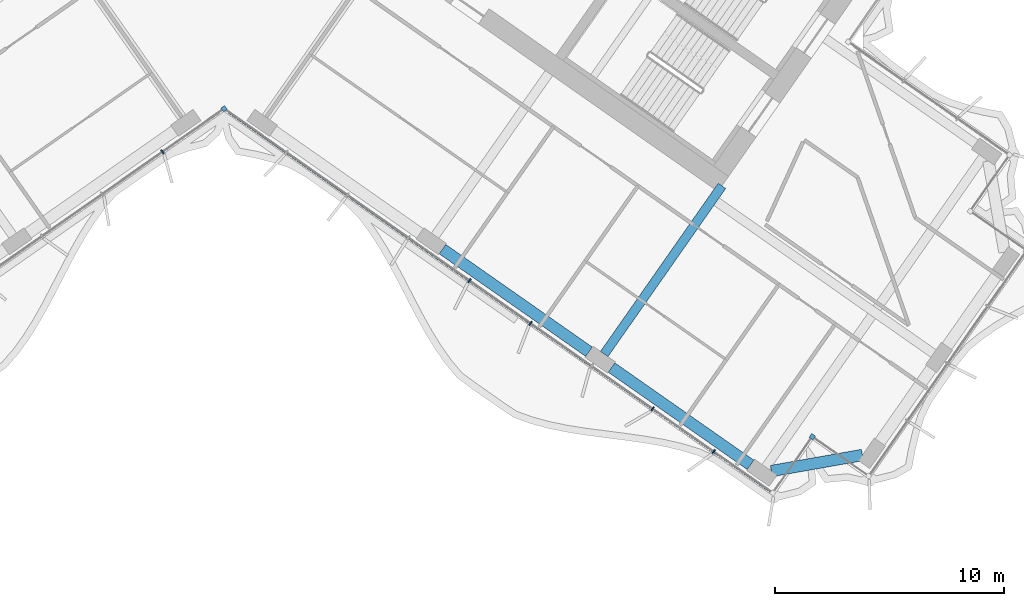
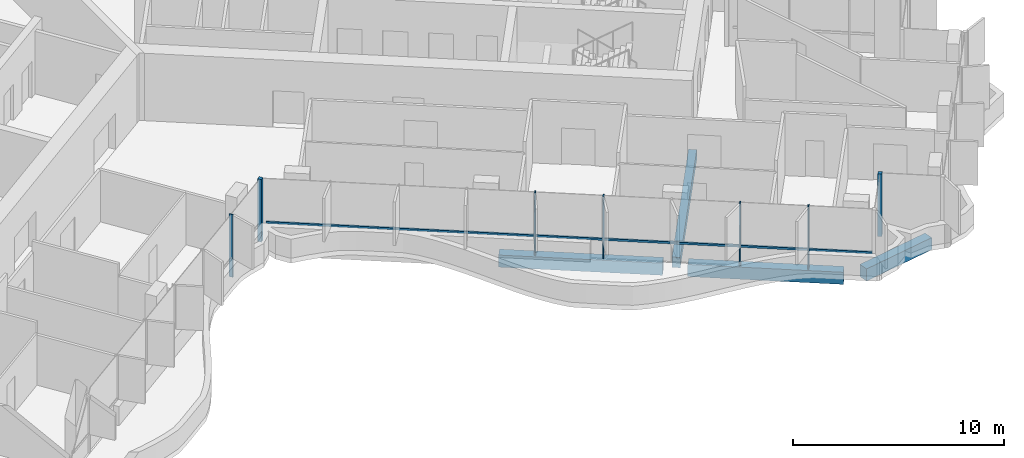
# One storey, part 6 of 23: 8 members, 4 beams, 1 element without a shape of its own.
"""IFC4 building model written with IfcOpenShell, lengths in metres."""

from ifc_helpers import new_model, si_unit, direction, frame, origin, origin_2d, place, context, subcontext, project, spatial, rectangle, extrude, material, material_profile, profile_set, type_object, element, aggregate, save


model = new_model("IFC4")

# Units and contexts
model_context = context("Model", 3, precision=1e-05, world=origin(), true_north=direction((0.0, 1.0)))
body_context = subcontext(model_context, "Body", "Model", "MODEL_VIEW")
ifc_project = project(units=[si_unit("LENGTHUNIT", "METRE"), si_unit("AREAUNIT", "SQUARE_METRE"), si_unit("VOLUMEUNIT", "CUBIC_METRE"), si_unit("PLANEANGLEUNIT", "RADIAN"), si_unit("MASSUNIT", "GRAM", prefix="KILO")], contexts=[model_context])

# Site, building, storey
site_placement = place(None, origin())
site = spatial("IfcSite", under=ifc_project, at=site_placement, CompositionType="ELEMENT")
building_placement = place(site_placement, origin())
building = spatial("IfcBuilding", under=site, at=building_placement, Name="Tel Ilan Convention Tower", CompositionType="ELEMENT")
storey_placement = place(building_placement, frame((0.0, 0.0, 194.39990234375)))
storey = spatial("IfcBuildingStorey", under=building, at=storey_placement, Name="L45", CompositionType="ELEMENT", Elevation=194.39990234375)

# Beams
ifc_material_1 = material(Name="Concrete C40/50", Category="concrete")
ifc_material_profile_1 = material_profile(ifc_material_1, rectangle(XDim=0.39990234375, YDim=0.60009765625, at=origin_2d()), Name="RC 400x600")
ifc_profile_set_1 = profile_set([ifc_material_profile_1], Name="Concrete C40/50")
beam_type_1 = type_object("IfcBeamType", Name="Beam RC 400x600 Concrete C40/50", PredefinedType="BEAM", material=ifc_profile_set_1)
beam_1_placement = place(storey_placement, frame((16.58203125, -23.391357421875, -0.579833984375), z_axis=(0.573584999642, 0.819146048141, 0.0), x_axis=(-0.819146048141, 0.573584999642, 0.0)))
element("IfcBeam", 1, at=beam_1_placement, inside=storey, type_object=beam_type_1, Name="L45 beam E-E-F3-core", PredefinedType="BEAM", context=body_context, shape_type="SweptSolid", body=[
    extrude(rectangle(XDim=0.39990234375, YDim=0.60009765625, at=origin_2d()), origin(), (0.0, 0.0, 1.0), 8.949951171875),
])
ifc_material_2 = material(Name="Concrete C40/50", Category="concrete")
ifc_material_profile_2 = material_profile(ifc_material_2, rectangle(XDim=0.5, YDim=0.699951171875, at=origin_2d()), Name="RC 500x700")
ifc_profile_set_2 = profile_set([ifc_material_profile_2], Name="Concrete C40/50")
beam_type_2 = type_object("IfcBeamType", Name="Beam RC 500x700 Concrete C40/50", PredefinedType="BEAM", material=ifc_profile_set_2)
beam_2_placement = place(storey_placement, frame((9.529052734375, -18.819091796875, -0.6298828125), z_axis=(0.819153977895, -0.573573674866, 0.0), x_axis=(0.573573674866, 0.819153977895, 0.0)))
element("IfcBeam", 2, at=beam_2_placement, inside=storey, type_object=beam_type_2, Name="L45 beam E-E-F2-E-F3", PredefinedType="BEAM", context=body_context, shape_type="SweptSolid", body=[
    extrude(rectangle(XDim=0.5, YDim=0.699951171875, at=origin_2d()), origin(), (0.0, 0.0, 1.0), 7.800048828125),
])
beam_3_placement = place(storey_placement, frame((16.901611328125, -23.981201171875, -0.6298828125), z_axis=(0.819148211634, -0.573581909911, 0.0), x_axis=(0.573581909911, 0.819148211634, 0.0)))
element("IfcBeam", 3, at=beam_3_placement, inside=storey, type_object=beam_type_2, Name="L45 beam E-E-F3-E-FC", PredefinedType="BEAM", context=body_context, shape_type="SweptSolid", body=[
    extrude(rectangle(XDim=0.5, YDim=0.699951171875, at=origin_2d()), origin(), (0.0, 0.0, 1.0), 7.39990234375),
])
beam_4_placement = place(storey_placement, frame((23.87255859375, -28.49609375, -0.6298828125), z_axis=(0.984815252405, 0.173605641124, 0.0), x_axis=(-0.173605641124, 0.984815252405, 0.0)))
element("IfcBeam", 4, at=beam_4_placement, inside=storey, type_object=beam_type_2, Name="L45 beam E-E-FC-E-E1", PredefinedType="BEAM", context=body_context, shape_type="SweptSolid", body=[
    extrude(rectangle(XDim=0.5, YDim=0.699951171875, at=origin_2d()), origin(), (0.0, 0.0, 1.0), 4.030517578125),
])

# Curtain wall, members
ifc_material_3 = material(Name="Aluminium, bronze anodised", Category="aluminium")
curtain_wall_type = type_object("IfcCurtainWallType", Name="CW4 STICK CURTAIN WALL, OFFICE TINTED GLASS", PredefinedType="NOTDEFINED", material=ifc_material_3)
curtain_wall_placement = place(storey_placement, origin())
curtain_wall = element("IfcCurtainWall", 5, at=curtain_wall_placement, inside=storey, type_object=curtain_wall_type, Name="Curtain wall CW4-35.02", PredefinedType="NOTDEFINED")
ifc_material_4 = material(Name="Aluminium, bronze anodised", Category="aluminium")
ifc_material_profile_3 = material_profile(ifc_material_4, rectangle(XDim=0.199951171875, YDim=0.199951171875, at=origin_2d()), Name="CW CORNER MULLION 200x200")
ifc_profile_set_3 = profile_set([ifc_material_profile_3], Name="Aluminium, bronze anodised")
member_type_1 = type_object("IfcMemberType", Name="CW CORNER MULLION 200x200", PredefinedType="MULLION", material=ifc_profile_set_3)
member_1_placement = place(storey_placement, frame((0.0, -12.696044921875, 0.0), z_axis=(0.0, 0.0, 1.0), x_axis=(0.819152044289, 0.573576436351, 0.0)))
member_1 = element("IfcMember", 6, at=member_1_placement, type_object=member_type_1, Name="Corner mullion", PredefinedType="MULLION", context=body_context, shape_type="SweptSolid", body=[
    extrude(rectangle(XDim=0.199951171875, YDim=0.199951171875, at=origin_2d()), origin(), (0.0, 0.0, 1.0), 3.6201171875),
])
member_2_placement = place(storey_placement, frame((25.654541015625, -26.997314453125, 0.0), z_axis=(0.0, 0.0, 1.0), x_axis=(0.573576436351, 0.819152044289, 0.0)))
member_2 = element("IfcMember", 7, at=member_2_placement, type_object=member_type_1, Name="Corner mullion", PredefinedType="MULLION", context=body_context, shape_type="SweptSolid", body=[
    extrude(rectangle(XDim=0.199951171875, YDim=0.199951171875, at=origin_2d()), origin(), (0.0, 0.0, 1.0), 3.6201171875),
])
ifc_material_5 = material(Name="Aluminium, bronze anodised", Category="aluminium")
ifc_material_profile_4 = material_profile(ifc_material_5, rectangle(XDim=0.06005859375, YDim=0.199951171875, at=origin_2d()), Name="CW MULLION 60x200")
ifc_profile_set_4 = profile_set([ifc_material_profile_4], Name="Aluminium, bronze anodised")
member_type_2 = type_object("IfcMemberType", Name="CW MULLION 60x200", PredefinedType="MULLION", material=ifc_profile_set_4)
member_3_placement = place(storey_placement, frame((-2.6826171875, -14.574462890625, 0.0), z_axis=(0.0, 0.0, 1.0), x_axis=(0.819152044289, 0.573576436351, 0.0)))
member_3 = element("IfcMember", 8, at=member_3_placement, type_object=member_type_2, Name="Mullion", PredefinedType="MULLION", context=body_context, shape_type="SweptSolid", body=[
    extrude(rectangle(XDim=0.06005859375, YDim=0.199951171875, at=origin_2d()), origin(), (0.0, 0.0, 1.0), 3.6201171875),
])
member_4_placement = place(storey_placement, frame((10.70556640625, -20.192138671875, 0.0), z_axis=(0.0, 0.0, 1.0), x_axis=(0.819152044289, -0.573576436351, 0.0)))
member_4 = element("IfcMember", 9, at=member_4_placement, type_object=member_type_2, Name="Mullion", PredefinedType="MULLION", context=body_context, shape_type="SweptSolid", body=[
    extrude(rectangle(XDim=0.06005859375, YDim=0.199951171875, at=origin_2d()), origin(), (0.0, 0.0, 1.0), 3.6201171875),
])
member_5_placement = place(storey_placement, frame((13.36767578125, -22.05615234375, 0.0), z_axis=(0.0, 0.0, 1.0), x_axis=(0.819152044289, -0.573576436351, 0.0)))
member_5 = element("IfcMember", 10, at=member_5_placement, type_object=member_type_2, Name="Mullion", PredefinedType="MULLION", context=body_context, shape_type="SweptSolid", body=[
    extrude(rectangle(XDim=0.06005859375, YDim=0.199951171875, at=origin_2d()), origin(), (0.0, 0.0, 1.0), 3.6201171875),
])
member_6_placement = place(storey_placement, frame((18.691650390625, -25.7841796875, 0.0), z_axis=(0.0, 0.0, 1.0), x_axis=(0.819152044289, -0.573576436351, 0.0)))
member_6 = element("IfcMember", 11, at=member_6_placement, type_object=member_type_2, Name="Mullion", PredefinedType="MULLION", context=body_context, shape_type="SweptSolid", body=[
    extrude(rectangle(XDim=0.06005859375, YDim=0.199951171875, at=origin_2d()), origin(), (0.0, 0.0, 1.0), 3.6201171875),
])
member_7_placement = place(storey_placement, frame((21.353759765625, -27.648193359375, 0.0), z_axis=(0.0, 0.0, 1.0), x_axis=(0.819152044289, -0.573576436351, 0.0)))
member_7 = element("IfcMember", 12, at=member_7_placement, type_object=member_type_2, Name="Mullion", PredefinedType="MULLION", context=body_context, shape_type="SweptSolid", body=[
    extrude(rectangle(XDim=0.06005859375, YDim=0.199951171875, at=origin_2d()), origin(), (0.0, 0.0, 1.0), 3.6201171875),
])
ifc_material_6 = material(Name="Aluminium, bronze anodised", Category="aluminium")
ifc_material_profile_5 = material_profile(ifc_material_6, rectangle(XDim=0.10009765625, YDim=0.1201171875, at=origin_2d()), Name="CW TRANSOM 100x120")
ifc_profile_set_5 = profile_set([ifc_material_profile_5], Name="Aluminium, bronze anodised")
member_type_3 = type_object("IfcMemberType", Name="CW TRANSOM 100x120", PredefinedType="USERDEFINED", material=ifc_profile_set_5)
member_8_placement = place(storey_placement, frame((0.22119140625, -12.850830078125, 1.10009765625), z_axis=(0.819150008568, -0.573579343651, 0.0), x_axis=(0.573579343651, 0.819150008568, 0.0)))
member_8 = element("IfcMember", 13, at=member_8_placement, type_object=member_type_3, Name="Transom", ObjectType="TRANSOM", PredefinedType="USERDEFINED", context=body_context, shape_type="SweptSolid", body=[
    extrude(rectangle(XDim=0.10009765625, YDim=0.1201171875, at=origin_2d()), origin(), (0.0, 0.0, 1.0), 28.84814453125),
])
aggregate(curtain_wall, [member_3, member_1, member_4, member_5, member_6, member_7, member_8, member_2])

save(model, "model.ifc")
